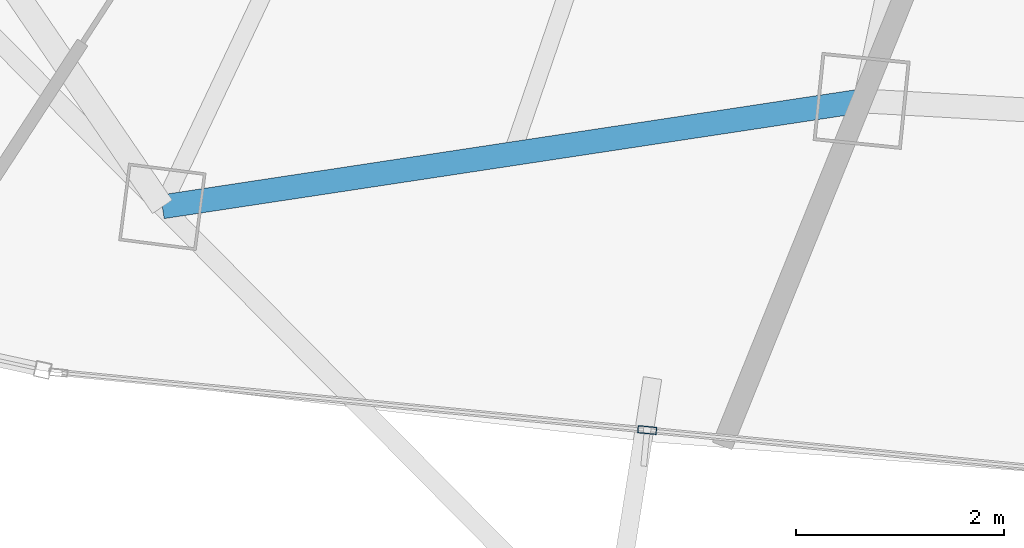
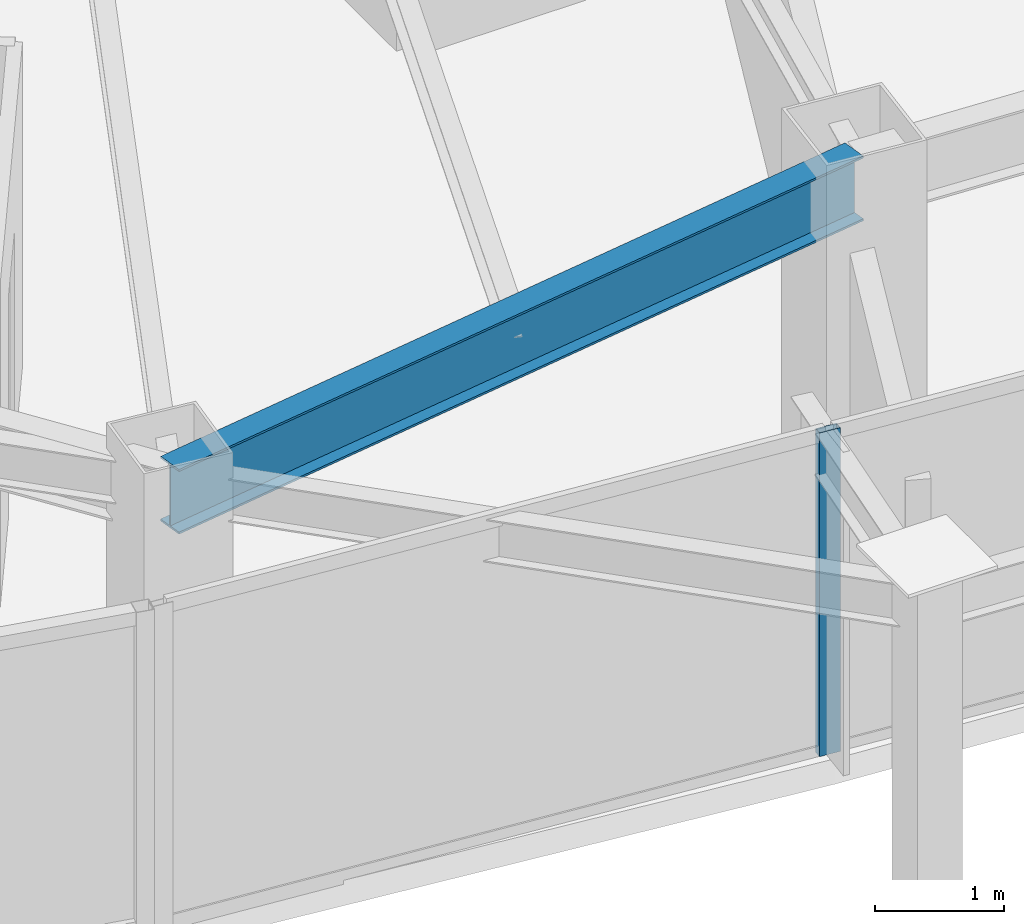
# One storey, part 4 of 31: 1 beam, 1 member, 1 element without a shape of its own.
"""IFC4 building model written with IfcOpenShell, lengths in metres."""

from ifc_helpers import new_model, si_unit, direction, frame, origin, origin_2d, place, context, subcontext, project, spatial, hollow_rectangle, i_section, extrude, material, layer, layer_set, material_profile, profile_set, type_object, element, aggregate, save


model = new_model("IFC4")

# Units and contexts
model_context = context("Model", 3, precision=1e-05, world=origin(), true_north=direction((0.0, 1.0)))
body_context = subcontext(model_context, "Body", "Model", "MODEL_VIEW")
ifc_project = project(units=[si_unit("LENGTHUNIT", "METRE"), si_unit("AREAUNIT", "SQUARE_METRE"), si_unit("VOLUMEUNIT", "CUBIC_METRE"), si_unit("PLANEANGLEUNIT", "RADIAN"), si_unit("MASSUNIT", "GRAM", prefix="KILO")], contexts=[model_context])

# Site, building, storey
site_placement = place(None, origin())
site = spatial("IfcSite", under=ifc_project, at=site_placement, CompositionType="ELEMENT")
building_placement = place(site_placement, origin())
building = spatial("IfcBuilding", under=site, at=building_placement, Name="Orvanel Arch Residences", CompositionType="ELEMENT")
storey_placement = place(building_placement, frame((0.0, 0.0, 157.25)))
storey = spatial("IfcBuildingStorey", under=building, at=storey_placement, Name="L44", CompositionType="ELEMENT", Elevation=157.25)

# Curtain wall, member
ifc_material_1 = material(Name="Bronze-anodised aluminium AA6063-T6", Category="aluminium")
ifc_layer = layer(ifc_material_1, 0.179931640625)
ifc_layer_set = layer_set([ifc_layer], Name="Bronze-anodised aluminium AA6063-T6")
curtain_wall_type = type_object("IfcCurtainWallType", Name="CW3-MID-SYS", PredefinedType="NOTDEFINED", material=ifc_layer_set)
curtain_wall_placement = place(storey_placement, origin())
curtain_wall = element("IfcCurtainWall", 1, at=curtain_wall_placement, inside=storey, type_object=curtain_wall_type, Name="L44 CW3-MID-SYS Unitised Curtain Wall", PredefinedType="NOTDEFINED")
ifc_material_profile_1 = material_profile(ifc_material_1, hollow_rectangle(XDim=0.070068359375, YDim=0.179931640625, WallThickness=0.00439453125, at=origin_2d()), Name="ALU180x70x4.5")
ifc_profile_set_1 = profile_set([ifc_material_profile_1], Name="Bronze-anodised aluminium AA6063-T6")
member_type = type_object("IfcMemberType", Name="MUL-180x70", PredefinedType="MULLION", material=ifc_profile_set_1)
member_placement = place(storey_placement, frame((21.591552734375, 4.197509765625, 0.0), z_axis=(0.0, 0.0, 1.0), x_axis=(0.097085158831, 0.995276078249, 0.0)))
member = element("IfcMember", 2, at=member_placement, type_object=member_type, Name="CW-S3 mullion 2", PredefinedType="MULLION", context=body_context, shape_type="SweptSolid", body=[
    extrude(hollow_rectangle(XDim=0.070068359375, YDim=0.179931640625, WallThickness=0.00439453125, at=origin_2d()), origin(), (0.0, 0.0, 1.0), 3.06005859375),
])
aggregate(curtain_wall, [member])

# Beam
ifc_material_2 = material(Name="Structural steel AS/NZS 3679.1 Grade 300 (300 MPa)", Category="steel")
ifc_material_profile_2 = material_profile(ifc_material_2, i_section(OverallWidth=0.22900390625, OverallDepth=0.612060546875, WebThickness=0.011962890625, FlangeThickness=0.01953125, at=origin_2d()), Name="610UB125")
ifc_profile_set_2 = profile_set([ifc_material_profile_2], Name="Structural steel AS/NZS 3679.1 Grade 300 (300 MPa)")
beam_type = type_object("IfcBeamType", Name="SP-610UB", PredefinedType="SPANDREL", material=ifc_profile_set_2)
beam_placement = place(storey_placement, frame((16.94091796875, 6.339111328125, 2.75390625), z_axis=(0.988726323014, 0.149733958002, 0.0), x_axis=(-0.149733958002, 0.988726323014, 0.0)))
element("IfcBeam", 3, at=beam_placement, inside=storey, type_object=beam_type, Name="L44 Perimeter Spandrel Beam 04", PredefinedType="SPANDREL", context=body_context, shape_type="SweptSolid", body=[
    extrude(i_section(OverallWidth=0.22900390625, OverallDepth=0.612060546875, WebThickness=0.011962890625, FlangeThickness=0.01953125, at=origin_2d()), origin(), (0.0, 0.0, 1.0), 6.784423828125),
])

save(model, "model.ifc")
